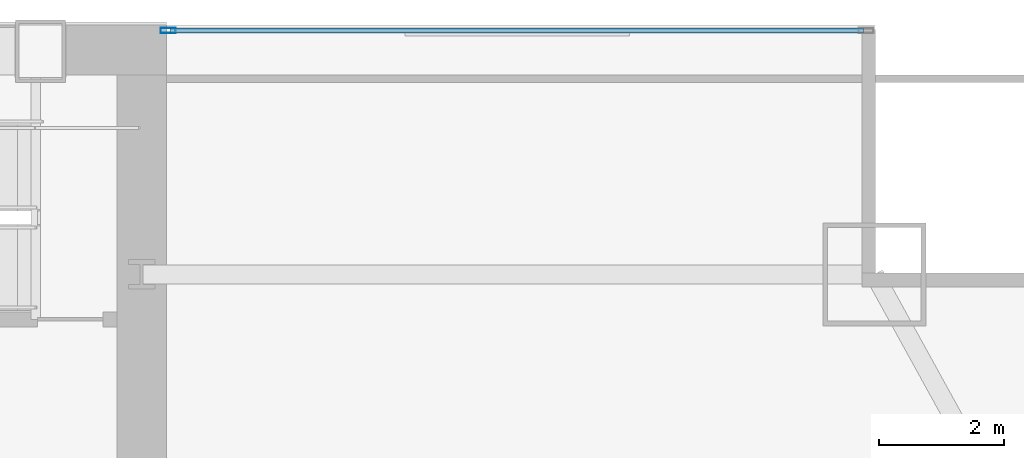
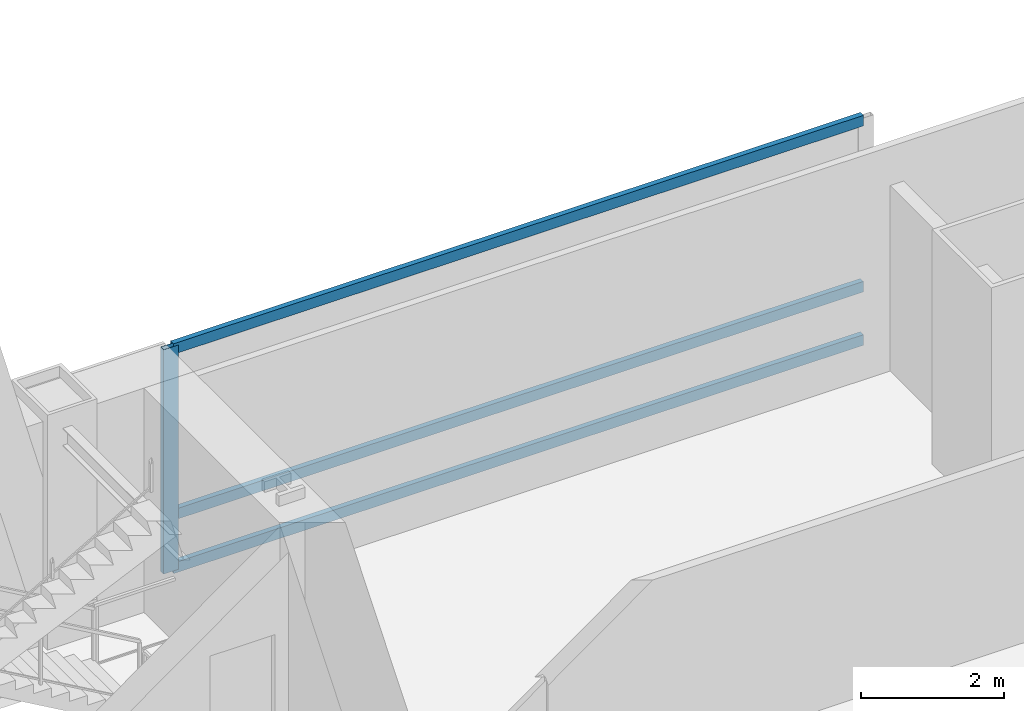
# One storey, part 20 of 36: 4 members, 1 element without a shape of its own.
"""IFC4 building model written with IfcOpenShell, lengths in metres."""

from ifc_helpers import new_model, si_unit, direction, frame, origin, origin_2d, place, context, subcontext, project, spatial, hollow_rectangle, extrude, material, material_profile, profile_set, type_object, element, aggregate, save


model = new_model("IFC4")

# Units and contexts
model_context = context("Model", 3, precision=1e-05, world=origin(), true_north=direction((0.0, 1.0)))
body_context = subcontext(model_context, "Body", "Model", "MODEL_VIEW")
ifc_project = project(units=[si_unit("LENGTHUNIT", "METRE"), si_unit("AREAUNIT", "SQUARE_METRE"), si_unit("VOLUMEUNIT", "CUBIC_METRE"), si_unit("PLANEANGLEUNIT", "RADIAN"), si_unit("MASSUNIT", "GRAM", prefix="KILO")], contexts=[model_context])

# Site, building, storey
site_placement = place(None, origin())
site = spatial("IfcSite", under=ifc_project, at=site_placement, CompositionType="ELEMENT")
building_placement = place(site_placement, origin())
building = spatial("IfcBuilding", under=site, at=building_placement, Name="Khoronbel Lancet Exchange", CompositionType="ELEMENT")
storey_placement = place(building_placement, frame((0.0, 0.0, 49.800048828125)))
storey = spatial("IfcBuildingStorey", under=building, at=storey_placement, Name="L11", CompositionType="ELEMENT", Elevation=49.800048828125)

# Curtain wall, members
ifc_material_1 = material(Name="Low-E Solar Control Insulating Glass", Category="glass")
curtain_wall_type = type_object("IfcCurtainWallType", Name="CW-1", PredefinedType="NOTDEFINED", material=ifc_material_1)
curtain_wall_placement = place(storey_placement, origin())
curtain_wall = element("IfcCurtainWall", 1, at=curtain_wall_placement, inside=storey, type_object=curtain_wall_type, Name="Unitised curtain wall CW-L11-NEFLK", PredefinedType="NOTDEFINED")
ifc_material_2 = material(Name="Bronze-Anodised Aluminium 6063-T6", Category="aluminium")
ifc_material_profile_1 = material_profile(ifc_material_2, hollow_rectangle(XDim=0.0849609375, YDim=0.239990234375, WallThickness=0.006103515625, at=origin_2d()), Name="ALU MULLION 85x240")
ifc_profile_set_1 = profile_set([ifc_material_profile_1], Name="Bronze-Anodised Aluminium 6063-T6")
member_type_1 = type_object("IfcMemberType", Name="MEM-CWM1", PredefinedType="MULLION", material=ifc_profile_set_1)
member_1_placement = place(storey_placement, frame((56.722412109375, 53.610107421875, 0.0), z_axis=(0.0, 0.0, 1.0), x_axis=(0.0, -1.0, 0.0)))
member_1 = element("IfcMember", 2, at=member_1_placement, type_object=member_type_1, Name="CW1 mullion 2", PredefinedType="MULLION", context=body_context, shape_type="SweptSolid", body=[
    extrude(hollow_rectangle(XDim=0.0849609375, YDim=0.239990234375, WallThickness=0.006103515625, at=origin_2d()), origin(), (0.0, 0.0, 1.0), 3.820068359375),
])
ifc_material_profile_2 = material_profile(ifc_material_2, hollow_rectangle(XDim=0.0849609375, YDim=0.179931640625, WallThickness=0.0048828125, at=origin_2d()), Name="ALU TRANSOM 85x180")
ifc_profile_set_2 = profile_set([ifc_material_profile_2], Name="Bronze-Anodised Aluminium 6063-T6")
member_type_2 = type_object("IfcMemberType", Name="MEM-CWT1", PredefinedType="USERDEFINED", material=ifc_profile_set_2)
member_2_placement = place(storey_placement, frame((67.875, 53.610107421875, 0.04248046875), z_axis=(-1.0, 0.0, 0.0), x_axis=(0.0, -1.0, 0.0)))
member_2 = element("IfcMember", 3, at=member_2_placement, type_object=member_type_2, Name="CW1 transom 1.1", ObjectType="TRANSOM", PredefinedType="USERDEFINED", context=body_context, shape_type="SweptSolid", body=[
    extrude(hollow_rectangle(XDim=0.0849609375, YDim=0.179931640625, WallThickness=0.0048828125, at=origin_2d()), origin(), (0.0, 0.0, 1.0), 11.110107421875),
])
member_3_placement = place(storey_placement, frame((67.875, 53.610107421875, 0.949951171875), z_axis=(-1.0, 0.0, 0.0), x_axis=(0.0, -1.0, 0.0)))
member_3 = element("IfcMember", 4, at=member_3_placement, type_object=member_type_2, Name="CW1 transom 1.2", ObjectType="TRANSOM", PredefinedType="USERDEFINED", context=body_context, shape_type="SweptSolid", body=[
    extrude(hollow_rectangle(XDim=0.0849609375, YDim=0.179931640625, WallThickness=0.0048828125, at=origin_2d()), origin(), (0.0, 0.0, 1.0), 11.110107421875),
])
member_4_placement = place(storey_placement, frame((67.875, 53.610107421875, 3.77734375), z_axis=(-1.0, 0.0, 0.0), x_axis=(0.0, -1.0, 0.0)))
member_4 = element("IfcMember", 5, at=member_4_placement, type_object=member_type_2, Name="CW1 transom 1.3", ObjectType="TRANSOM", PredefinedType="USERDEFINED", context=body_context, shape_type="SweptSolid", body=[
    extrude(hollow_rectangle(XDim=0.0849609375, YDim=0.179931640625, WallThickness=0.0048828125, at=origin_2d()), origin(), (0.0, 0.0, 1.0), 11.110107421875),
])
aggregate(curtain_wall, [member_1, member_2, member_3, member_4])

save(model, "model.ifc")
